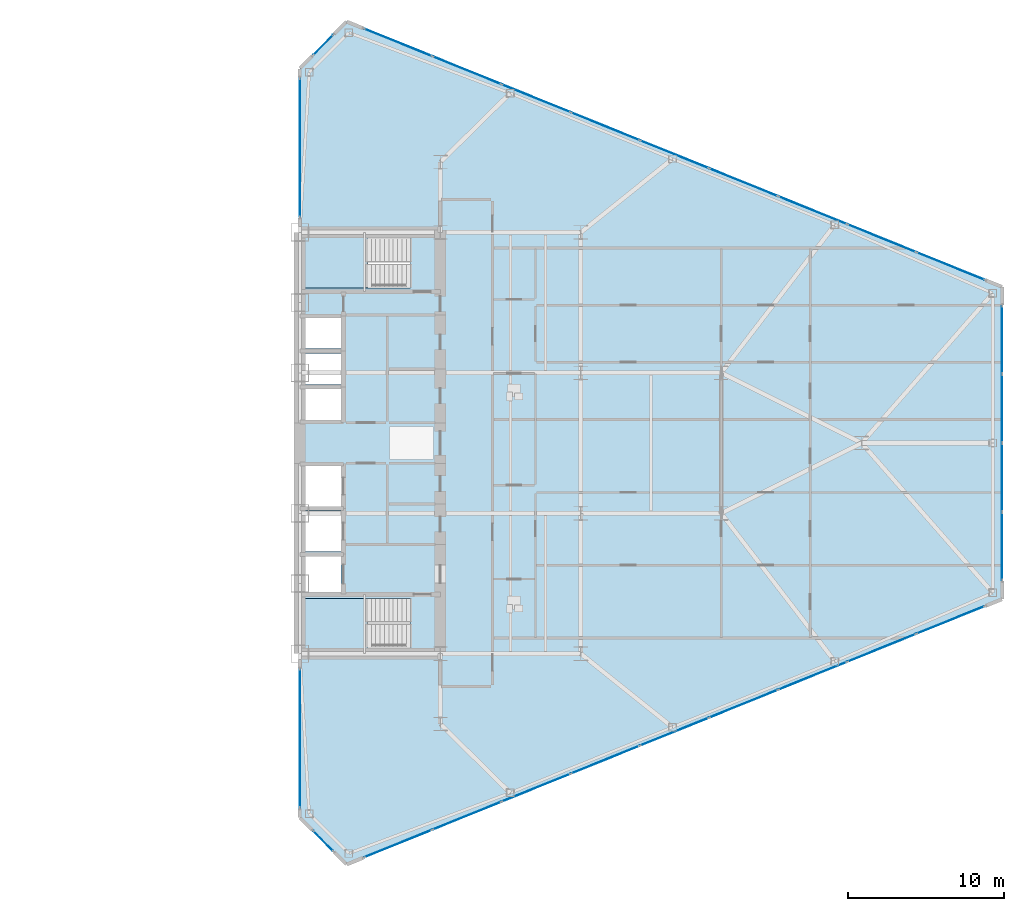
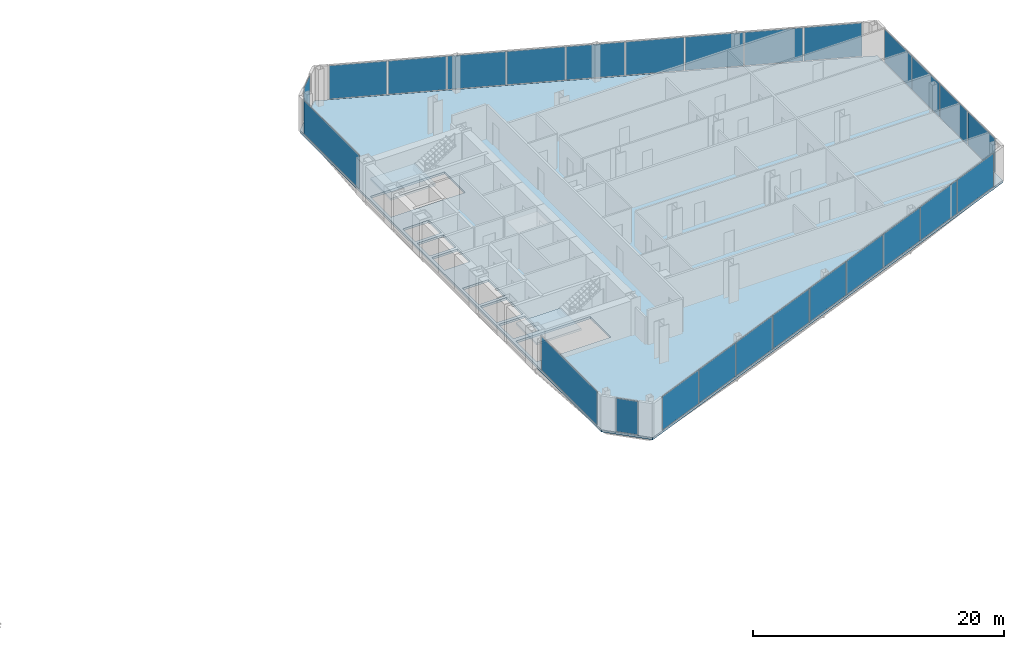
# One storey, part 16 of 25: 26 plates, 3 slabs, 9 elements without a shape of their own.
"""IFC4 building model written with IfcOpenShell, lengths in metres."""

from ifc_helpers import new_model, si_unit, direction, frame, origin, origin_2d, place, context, subcontext, project, spatial, polyline, rectangle, outline, extrude, source, transform, mapped, material, layer, layer_set, type_object, type_shapes, element, aggregate, save


model = new_model("IFC4")

# Units and contexts
model_context = context("Model", 3, precision=1e-05, world=origin(), true_north=direction((0.0, 1.0)))
body_context = subcontext(model_context, "Body", "Model", "MODEL_VIEW")
ifc_project = project(units=[si_unit("LENGTHUNIT", "METRE"), si_unit("AREAUNIT", "SQUARE_METRE"), si_unit("VOLUMEUNIT", "CUBIC_METRE"), si_unit("PLANEANGLEUNIT", "RADIAN"), si_unit("MASSUNIT", "GRAM", prefix="KILO")], contexts=[model_context])

# Site, building, storey
site_placement = place(None, origin())
site = spatial("IfcSite", under=ifc_project, at=site_placement, CompositionType="ELEMENT")
building_placement = place(site_placement, origin())
building = spatial("IfcBuilding", under=site, at=building_placement, Name="Seokmaru Belvedere", CompositionType="ELEMENT")
storey_placement = place(building_placement, frame((0.0, 0.0, 47.699951171875)))
storey = spatial("IfcBuildingStorey", under=building, at=storey_placement, Name="L12", CompositionType="ELEMENT", Elevation=47.699951171875)

# Stair, slab
ifc_material_1 = material(Name="Concrete C40 (40 MPa)", Category="concrete")
stair_type = type_object("IfcStairType", Name="Typical Tower Core Dog-Leg Stair 3600", PredefinedType="TWO_STRAIGHT_RUN_STAIR", material=ifc_material_1)
stair_1_placement = place(storey_placement, origin())
stair_1 = element("IfcStair", 1, at=stair_1_placement, inside=storey, type_object=stair_type, Name="L12 Special Escape Stair ST-E1", PredefinedType="TWO_STRAIGHT_RUN_STAIR")
ifc_layer_1 = layer(ifc_material_1, 0.199951171875)
ifc_layer_set_1 = layer_set([ifc_layer_1], Name="Concrete C40 (40 MPa)")
slab_type_1 = type_object("IfcSlabType", Name="Reinforced Concrete Stair Landing Slab 200", PredefinedType="LANDING", material=ifc_layer_set_1)
slab_1_placement = place(storey_placement, frame((0.0, 0.0, 1.60009765625)))
slab_1 = element("IfcSlab", 2, at=slab_1_placement, type_object=slab_type_1, Name="ST-E1 landing 1", PredefinedType="LANDING", context=body_context, shape_type="SweptSolid", body=[
    extrude(outline(polyline([(27.760009765625, -13.239990234375), (31.8798828125, -13.239990234375), (31.8798828125, -9.949951171875), (27.760009765625, -9.949951171875), (27.760009765625, -13.239990234375)])), origin(), (0.0, 0.0, 1.0), 0.199951171875),
])
aggregate(stair_1, [slab_1])

stair_2_placement = place(storey_placement, origin())
stair_2 = element("IfcStair", 3, at=stair_2_placement, inside=storey, type_object=stair_type, Name="L12 Special Escape Stair ST-E2", PredefinedType="TWO_STRAIGHT_RUN_STAIR")
slab_2_placement = place(storey_placement, frame((0.0, 0.0, 1.60009765625)))
slab_2 = element("IfcSlab", 4, at=slab_2_placement, type_object=slab_type_1, Name="ST-E2 landing 1", PredefinedType="LANDING", context=body_context, shape_type="SweptSolid", body=[
    extrude(outline(polyline([(27.760009765625, 9.949951171875), (31.8798828125, 9.949951171875), (31.8798828125, 13.239990234375), (27.760009765625, 13.239990234375), (27.760009765625, 9.949951171875)])), origin(), (0.0, 0.0, 1.0), 0.199951171875),
])
aggregate(stair_2, [slab_2])

# Slab
ifc_layer_2 = layer(ifc_material_1, 0.219970703125)
ifc_layer_set_2 = layer_set([ifc_layer_2], Name="Concrete C40 (40 MPa)")
slab_type_2 = type_object("IfcSlabType", Name="Typical Tower Composite Floor Slab 220", PredefinedType="FLOOR", material=ifc_layer_set_2)
slab_3_placement = place(storey_placement, frame((0.0, 0.0, -0.219970703125)))
element("IfcSlab", 5, at=slab_3_placement, inside=storey, type_object=slab_type_2, Name="L12 East Leg Floor Slab", PredefinedType="FLOOR", context=body_context, shape_type="SweptSolid", body=[
    extrude(outline(polyline([(30.5, -27.0), (72.5, -10.0), (72.5, 10.0), (30.5, 27.0), (27.5, 24.0), (27.5, -24.0), (30.5, -27.0)]), holes=[polyline([(27.75, -13.25), (34.60009765625, -13.25), (34.60009765625, -9.949951171875), (27.75, -9.949951171875), (27.75, -13.25)]), polyline([(27.75, 9.949951171875), (34.60009765625, 9.949951171875), (34.60009765625, 13.25), (27.75, 13.25), (27.75, 9.949951171875)]), polyline([(27.75, -9.550048828125), (30.14990234375, -9.550048828125), (30.14990234375, -7.25), (27.75, -7.25), (27.75, -9.550048828125)]), polyline([(27.75, -6.949951171875), (30.14990234375, -6.949951171875), (30.14990234375, -4.35009765625), (27.75, -4.35009765625), (27.75, -6.949951171875)]), polyline([(27.75, -4.050048828125), (30.14990234375, -4.050048828125), (30.14990234375, -1.449951171875), (27.75, -1.449951171875), (27.75, -4.050048828125)]), polyline([(27.75, 1.449951171875), (30.14990234375, 1.449951171875), (30.14990234375, 3.449951171875), (27.75, 3.449951171875), (27.75, 1.449951171875)]), polyline([(27.75, 3.75), (30.14990234375, 3.75), (30.14990234375, 5.75), (27.75, 5.75), (27.75, 3.75)]), polyline([(27.75, 6.050048828125), (30.14990234375, 6.050048828125), (30.14990234375, 8.050048828125), (27.75, 8.050048828125), (27.75, 6.050048828125)])]), origin(), (0.0, 0.0, 1.0), 0.219970703125),
])

# Curtain wall, plate
ifc_material_2 = material(Name="Bronze Triple Insulating Glass", Category="glass")
ifc_layer_3 = layer(ifc_material_2, 0.2099609375)
ifc_layer_set_3 = layer_set([ifc_layer_3], Name="Bronze Triple Insulating Glass")
curtain_wall_type = type_object("IfcCurtainWallType", Name="Low-Rise Faceted Crystal Curtain Wall System CW-2", PredefinedType="NOTDEFINED", material=ifc_layer_set_3)
curtain_wall_1_placement = place(storey_placement, origin())
curtain_wall_1 = element("IfcCurtainWall", 6, at=curtain_wall_1_placement, inside=storey, type_object=curtain_wall_type, Name="L12 Curtain Wall ESP_1", PredefinedType="NOTDEFINED")
ifc_layer_4 = layer(ifc_material_2, 0.035888671875)
ifc_layer_set_4 = layer_set([ifc_layer_4], Name="Bronze Triple Insulating Glass")
plate_type = type_object("IfcPlateType", Name="Bronze Triple Vision Glazing Panel 36", PredefinedType="CURTAIN_PANEL", material=ifc_layer_set_4)
shared_shape_1 = source(origin(), body_context, "Body", "SweptSolid", [
    extrude(rectangle(XDim=8.85009765625, YDim=0.035888671875, at=origin_2d()), origin(), (0.0, 0.0, 1.0), 3.239990234375),
])
plate_1_placement = place(storey_placement, frame((27.5, -18.929931640625, 0.06982421875), z_axis=(0.0, 0.0, 1.0), x_axis=(0.0, -1.0, 0.0)))
plate_1 = element("IfcPlate", 7, at=plate_1_placement, type_object=plate_type, Name="CW:L12:ESP_1 Glazing Panel 1-1", PredefinedType="CURTAIN_PANEL", context=body_context, shape_type="MappedRepresentation", body=[
    mapped(shared_shape_1, transform((0.0, 0.0, 0.0), scale=1.0)),
])
aggregate(curtain_wall_1, [plate_1])

curtain_wall_2_placement = place(storey_placement, origin())
curtain_wall_2 = element("IfcCurtainWall", 8, at=curtain_wall_2_placement, inside=storey, type_object=curtain_wall_type, Name="L12 Curtain Wall ESP_2", PredefinedType="NOTDEFINED")
plate_2_placement = place(storey_placement, frame((27.5, 18.929931640625, 0.06982421875), z_axis=(0.0, 0.0, 1.0), x_axis=(0.0, -1.0, 0.0)))
plate_2 = element("IfcPlate", 9, at=plate_2_placement, type_object=plate_type, Name="CW:L12:ESP_2 Glazing Panel 1-1", PredefinedType="CURTAIN_PANEL", context=body_context, shape_type="MappedRepresentation", body=[
    mapped(shared_shape_1, transform((0.0, 0.0, 0.0), scale=1.0)),
])
aggregate(curtain_wall_2, [plate_2])

curtain_wall_3_placement = place(storey_placement, origin())
curtain_wall_3 = element("IfcCurtainWall", 10, at=curtain_wall_3_placement, inside=storey, type_object=curtain_wall_type, Name="L12 Curtain Wall EF4", PredefinedType="NOTDEFINED")
shared_shape_2 = source(origin(), body_context, "Body", "SweptSolid", [
    extrude(rectangle(XDim=1.79248046875, YDim=0.035888671875, at=origin_2d()), origin(), (0.0, 0.0, 1.0), 3.239990234375),
])
plate_3_placement = place(storey_placement, frame((29.0, 25.5, 0.06982421875), z_axis=(0.0, 0.0, 1.0), x_axis=(-0.707106781187, -0.707106781187, 0.0)))
plate_3 = element("IfcPlate", 11, at=plate_3_placement, type_object=plate_type, Name="CW:L12:EF4 Glazing Panel 1-1", PredefinedType="CURTAIN_PANEL", context=body_context, shape_type="MappedRepresentation", body=[
    mapped(shared_shape_2, transform((0.0, 0.0, 0.0), scale=1.0)),
])
aggregate(curtain_wall_3, [plate_3])

curtain_wall_4_placement = place(storey_placement, origin())
curtain_wall_4 = element("IfcCurtainWall", 12, at=curtain_wall_4_placement, inside=storey, type_object=curtain_wall_type, Name="L12 Curtain Wall EF6", PredefinedType="NOTDEFINED")
plate_4_placement = place(storey_placement, frame((29.0, -25.5, 0.06982421875), z_axis=(0.0, 0.0, 1.0), x_axis=(0.707106781187, -0.707106781187, 0.0)))
plate_4 = element("IfcPlate", 13, at=plate_4_placement, type_object=plate_type, Name="CW:L12:EF6 Glazing Panel 1-1", PredefinedType="CURTAIN_PANEL", context=body_context, shape_type="MappedRepresentation", body=[
    mapped(shared_shape_2, transform((0.0, 0.0, 0.0), scale=1.0)),
])
aggregate(curtain_wall_4, [plate_4])

# Curtain wall, plates
curtain_wall_5_placement = place(storey_placement, origin())
curtain_wall_5 = element("IfcCurtainWall", 14, at=curtain_wall_5_placement, inside=storey, type_object=curtain_wall_type, Name="L12 Curtain Wall EF1", PredefinedType="NOTDEFINED")
shared_shape_3 = source(origin(), body_context, "Body", "SweptSolid", [
    extrude(rectangle(XDim=4.66650390625, YDim=0.035888671875, at=origin_2d()), origin(), (0.0, 0.0, 1.0), 3.239990234375),
])
plate_5_placement = place(storey_placement, frame((33.79833984375, -25.6650390625, 0.06982421875), z_axis=(0.0, 0.0, 1.0), x_axis=(0.926946989637, 0.375192321888, 0.0)))
plate_5 = element("IfcPlate", 15, at=plate_5_placement, type_object=plate_type, Name="CW:L12:EF1 Glazing Panel 1-1", PredefinedType="CURTAIN_PANEL", context=body_context, shape_type="MappedRepresentation", body=[
    mapped(shared_shape_3, transform((0.0, 0.0, 0.0), scale=1.0)),
])
plate_6_placement = place(storey_placement, frame((69.20166015625, -11.3349609375, 0.06982421875), z_axis=(0.0, 0.0, 1.0), x_axis=(0.926946989637, 0.375192321888, 0.0)))
plate_6 = element("IfcPlate", 16, at=plate_6_placement, type_object=plate_type, Name="CW:L12:EF1 Glazing Panel 9-1", PredefinedType="CURTAIN_PANEL", context=body_context, shape_type="MappedRepresentation", body=[
    mapped(shared_shape_3, transform((0.0, 0.0, 0.0), scale=1.0)),
])

curtain_wall_6_placement = place(storey_placement, origin())
curtain_wall_6 = element("IfcCurtainWall", 17, at=curtain_wall_6_placement, inside=storey, type_object=curtain_wall_type, Name="L12 Curtain Wall EF3", PredefinedType="NOTDEFINED")
plate_7_placement = place(storey_placement, frame((69.20166015625, 11.3349609375, 0.06982421875), z_axis=(0.0, 0.0, 1.0), x_axis=(-0.926946989637, 0.375192321888, 0.0)))
plate_7 = element("IfcPlate", 18, at=plate_7_placement, type_object=plate_type, Name="CW:L12:EF3 Glazing Panel 1-1", PredefinedType="CURTAIN_PANEL", context=body_context, shape_type="MappedRepresentation", body=[
    mapped(shared_shape_3, transform((0.0, 0.0, 0.0), scale=1.0)),
])
plate_8_placement = place(storey_placement, frame((33.79833984375, 25.6650390625, 0.06982421875), z_axis=(0.0, 0.0, 1.0), x_axis=(-0.926946989637, 0.375192321888, 0.0)))
plate_8 = element("IfcPlate", 19, at=plate_8_placement, type_object=plate_type, Name="CW:L12:EF3 Glazing Panel 9-1", PredefinedType="CURTAIN_PANEL", context=body_context, shape_type="MappedRepresentation", body=[
    mapped(shared_shape_3, transform((0.0, 0.0, 0.0), scale=1.0)),
])

# Plate
shared_shape_4 = source(origin(), body_context, "Body", "SweptSolid", [
    extrude(rectangle(XDim=4.703857421875, YDim=0.035888671875, at=origin_2d()), origin(), (0.0, 0.0, 1.0), 3.239990234375),
])
plate_9_placement = place(storey_placement, frame((38.210693359375, -23.87890625, 0.06982421875), z_axis=(0.0, 0.0, 1.0), x_axis=(0.926946989637, 0.375192321888, 0.0)))
plate_9 = element("IfcPlate", 20, at=plate_9_placement, type_object=plate_type, Name="CW:L12:EF1 Glazing Panel 2-1", PredefinedType="CURTAIN_PANEL", context=body_context, shape_type="MappedRepresentation", body=[
    mapped(shared_shape_4, transform((0.0, 0.0, 0.0), scale=1.0)),
])

plate_10_placement = place(storey_placement, frame((42.640380859375, -22.0859375, 0.06982421875), z_axis=(0.0, 0.0, 1.0), x_axis=(0.926946989637, 0.375192321888, 0.0)))
plate_10 = element("IfcPlate", 21, at=plate_10_placement, type_object=plate_type, Name="CW:L12:EF1 Glazing Panel 3-1", PredefinedType="CURTAIN_PANEL", context=body_context, shape_type="MappedRepresentation", body=[
    mapped(shared_shape_4, transform((0.0, 0.0, 0.0), scale=1.0)),
])

plate_11_placement = place(storey_placement, frame((47.0703125, -20.29296875, 0.06982421875), z_axis=(0.0, 0.0, 1.0), x_axis=(0.926946989637, 0.375192321888, 0.0)))
plate_11 = element("IfcPlate", 22, at=plate_11_placement, type_object=plate_type, Name="CW:L12:EF1 Glazing Panel 4-1", PredefinedType="CURTAIN_PANEL", context=body_context, shape_type="MappedRepresentation", body=[
    mapped(shared_shape_4, transform((0.0, 0.0, 0.0), scale=1.0)),
])

plate_12_placement = place(storey_placement, frame((51.5, -18.5, 0.06982421875), z_axis=(0.0, 0.0, 1.0), x_axis=(0.926946989637, 0.375192321888, 0.0)))
plate_12 = element("IfcPlate", 23, at=plate_12_placement, type_object=plate_type, Name="CW:L12:EF1 Glazing Panel 5-1", PredefinedType="CURTAIN_PANEL", context=body_context, shape_type="MappedRepresentation", body=[
    mapped(shared_shape_4, transform((0.0, 0.0, 0.0), scale=1.0)),
])

plate_13_placement = place(storey_placement, frame((55.9296875, -16.70703125, 0.06982421875), z_axis=(0.0, 0.0, 1.0), x_axis=(0.926946989637, 0.375192321888, 0.0)))
plate_13 = element("IfcPlate", 24, at=plate_13_placement, type_object=plate_type, Name="CW:L12:EF1 Glazing Panel 6-1", PredefinedType="CURTAIN_PANEL", context=body_context, shape_type="MappedRepresentation", body=[
    mapped(shared_shape_4, transform((0.0, 0.0, 0.0), scale=1.0)),
])

plate_14_placement = place(storey_placement, frame((60.359619140625, -14.9140625, 0.06982421875), z_axis=(0.0, 0.0, 1.0), x_axis=(0.926946989637, 0.375192321888, 0.0)))
plate_14 = element("IfcPlate", 25, at=plate_14_placement, type_object=plate_type, Name="CW:L12:EF1 Glazing Panel 7-1", PredefinedType="CURTAIN_PANEL", context=body_context, shape_type="MappedRepresentation", body=[
    mapped(shared_shape_4, transform((0.0, 0.0, 0.0), scale=1.0)),
])

plate_15_placement = place(storey_placement, frame((64.789306640625, -13.12109375, 0.06982421875), z_axis=(0.0, 0.0, 1.0), x_axis=(0.926946989637, 0.375192321888, 0.0)))
plate_15 = element("IfcPlate", 26, at=plate_15_placement, type_object=plate_type, Name="CW:L12:EF1 Glazing Panel 8-1", PredefinedType="CURTAIN_PANEL", context=body_context, shape_type="MappedRepresentation", body=[
    mapped(shared_shape_4, transform((0.0, 0.0, 0.0), scale=1.0)),
])

aggregate(curtain_wall_5, [plate_5, plate_9, plate_10, plate_11, plate_12, plate_13, plate_14, plate_15, plate_6])

plate_16_placement = place(storey_placement, frame((64.789306640625, 13.12109375, 0.06982421875), z_axis=(0.0, 0.0, 1.0), x_axis=(-0.926946989637, 0.375192321888, 0.0)))
plate_16 = element("IfcPlate", 27, at=plate_16_placement, type_object=plate_type, Name="CW:L12:EF3 Glazing Panel 2-1", PredefinedType="CURTAIN_PANEL", context=body_context, shape_type="MappedRepresentation", body=[
    mapped(shared_shape_4, transform((0.0, 0.0, 0.0), scale=1.0)),
])

plate_17_placement = place(storey_placement, frame((60.359619140625, 14.9140625, 0.06982421875), z_axis=(0.0, 0.0, 1.0), x_axis=(-0.926946989637, 0.375192321888, 0.0)))
plate_17 = element("IfcPlate", 28, at=plate_17_placement, type_object=plate_type, Name="CW:L12:EF3 Glazing Panel 3-1", PredefinedType="CURTAIN_PANEL", context=body_context, shape_type="MappedRepresentation", body=[
    mapped(shared_shape_4, transform((0.0, 0.0, 0.0), scale=1.0)),
])

plate_18_placement = place(storey_placement, frame((55.9296875, 16.70703125, 0.06982421875), z_axis=(0.0, 0.0, 1.0), x_axis=(-0.926946989637, 0.375192321888, 0.0)))
plate_18 = element("IfcPlate", 29, at=plate_18_placement, type_object=plate_type, Name="CW:L12:EF3 Glazing Panel 4-1", PredefinedType="CURTAIN_PANEL", context=body_context, shape_type="MappedRepresentation", body=[
    mapped(shared_shape_4, transform((0.0, 0.0, 0.0), scale=1.0)),
])

plate_19_placement = place(storey_placement, frame((51.5, 18.5, 0.06982421875), z_axis=(0.0, 0.0, 1.0), x_axis=(-0.926946989637, 0.375192321888, 0.0)))
plate_19 = element("IfcPlate", 30, at=plate_19_placement, type_object=plate_type, Name="CW:L12:EF3 Glazing Panel 5-1", PredefinedType="CURTAIN_PANEL", context=body_context, shape_type="MappedRepresentation", body=[
    mapped(shared_shape_4, transform((0.0, 0.0, 0.0), scale=1.0)),
])

plate_20_placement = place(storey_placement, frame((47.0703125, 20.29296875, 0.06982421875), z_axis=(0.0, 0.0, 1.0), x_axis=(-0.926946989637, 0.375192321888, 0.0)))
plate_20 = element("IfcPlate", 31, at=plate_20_placement, type_object=plate_type, Name="CW:L12:EF3 Glazing Panel 6-1", PredefinedType="CURTAIN_PANEL", context=body_context, shape_type="MappedRepresentation", body=[
    mapped(shared_shape_4, transform((0.0, 0.0, 0.0), scale=1.0)),
])

plate_21_placement = place(storey_placement, frame((42.640380859375, 22.0859375, 0.06982421875), z_axis=(0.0, 0.0, 1.0), x_axis=(-0.926946989637, 0.375192321888, 0.0)))
plate_21 = element("IfcPlate", 32, at=plate_21_placement, type_object=plate_type, Name="CW:L12:EF3 Glazing Panel 7-1", PredefinedType="CURTAIN_PANEL", context=body_context, shape_type="MappedRepresentation", body=[
    mapped(shared_shape_4, transform((0.0, 0.0, 0.0), scale=1.0)),
])

plate_22_placement = place(storey_placement, frame((38.210693359375, 23.87890625, 0.06982421875), z_axis=(0.0, 0.0, 1.0), x_axis=(-0.926946989637, 0.375192321888, 0.0)))
plate_22 = element("IfcPlate", 33, at=plate_22_placement, type_object=plate_type, Name="CW:L12:EF3 Glazing Panel 8-1", PredefinedType="CURTAIN_PANEL", context=body_context, shape_type="MappedRepresentation", body=[
    mapped(shared_shape_4, transform((0.0, 0.0, 0.0), scale=1.0)),
])

aggregate(curtain_wall_6, [plate_7, plate_16, plate_17, plate_18, plate_19, plate_20, plate_21, plate_22, plate_8])

# Curtain wall, plates
curtain_wall_7_placement = place(storey_placement, origin())
curtain_wall_7 = element("IfcCurtainWall", 34, at=curtain_wall_7_placement, inside=storey, type_object=curtain_wall_type, Name="L12 Curtain Wall EF2", PredefinedType="NOTDEFINED")
shared_shape_5 = source(origin(), body_context, "Body", "SweptSolid", [
    extrude(rectangle(XDim=4.3125, YDim=0.035888671875, at=origin_2d()), origin(), (0.0, 0.0, 1.0), 3.239990234375),
])
plate_23_placement = place(storey_placement, frame((72.5, -6.61865234375, 0.06982421875), z_axis=(0.0, 0.0, 1.0), x_axis=(0.0, 1.0, 0.0)))
plate_23 = element("IfcPlate", 35, at=plate_23_placement, type_object=plate_type, Name="CW:L12:EF2 Glazing Panel 1-1", PredefinedType="CURTAIN_PANEL", context=body_context, shape_type="MappedRepresentation", body=[
    mapped(shared_shape_5, transform((0.0, 0.0, 0.0), scale=1.0)),
])
plate_24_placement = place(storey_placement, frame((72.5, 6.61865234375, 0.06982421875), z_axis=(0.0, 0.0, 1.0), x_axis=(0.0, 1.0, 0.0)))
plate_24 = element("IfcPlate", 36, at=plate_24_placement, type_object=plate_type, Name="CW:L12:EF2 Glazing Panel 4-1", PredefinedType="CURTAIN_PANEL", context=body_context, shape_type="MappedRepresentation", body=[
    mapped(shared_shape_5, transform((0.0, 0.0, 0.0), scale=1.0)),
])
shared_shape_6 = source(origin(), body_context, "Body", "SweptSolid", [
    extrude(rectangle(XDim=4.35009765625, YDim=0.035888671875, at=origin_2d()), origin(), (0.0, 0.0, 1.0), 3.239990234375),
])
type_shapes(plate_type, [shared_shape_1, shared_shape_2, shared_shape_3, shared_shape_4, shared_shape_5, shared_shape_6])
plate_25_placement = place(storey_placement, frame((72.5, -2.21240234375, 0.06982421875), z_axis=(0.0, 0.0, 1.0), x_axis=(0.0, 1.0, 0.0)))
plate_25 = element("IfcPlate", 37, at=plate_25_placement, type_object=plate_type, Name="CW:L12:EF2 Glazing Panel 2-1", PredefinedType="CURTAIN_PANEL", context=body_context, shape_type="MappedRepresentation", body=[
    mapped(shared_shape_6, transform((0.0, 0.0, 0.0), scale=1.0)),
])
plate_26_placement = place(storey_placement, frame((72.5, 2.21240234375, 0.06982421875), z_axis=(0.0, 0.0, 1.0), x_axis=(0.0, 1.0, 0.0)))
plate_26 = element("IfcPlate", 38, at=plate_26_placement, type_object=plate_type, Name="CW:L12:EF2 Glazing Panel 3-1", PredefinedType="CURTAIN_PANEL", context=body_context, shape_type="MappedRepresentation", body=[
    mapped(shared_shape_6, transform((0.0, 0.0, 0.0), scale=1.0)),
])
aggregate(curtain_wall_7, [plate_23, plate_25, plate_26, plate_24])

save(model, "model.ifc")
